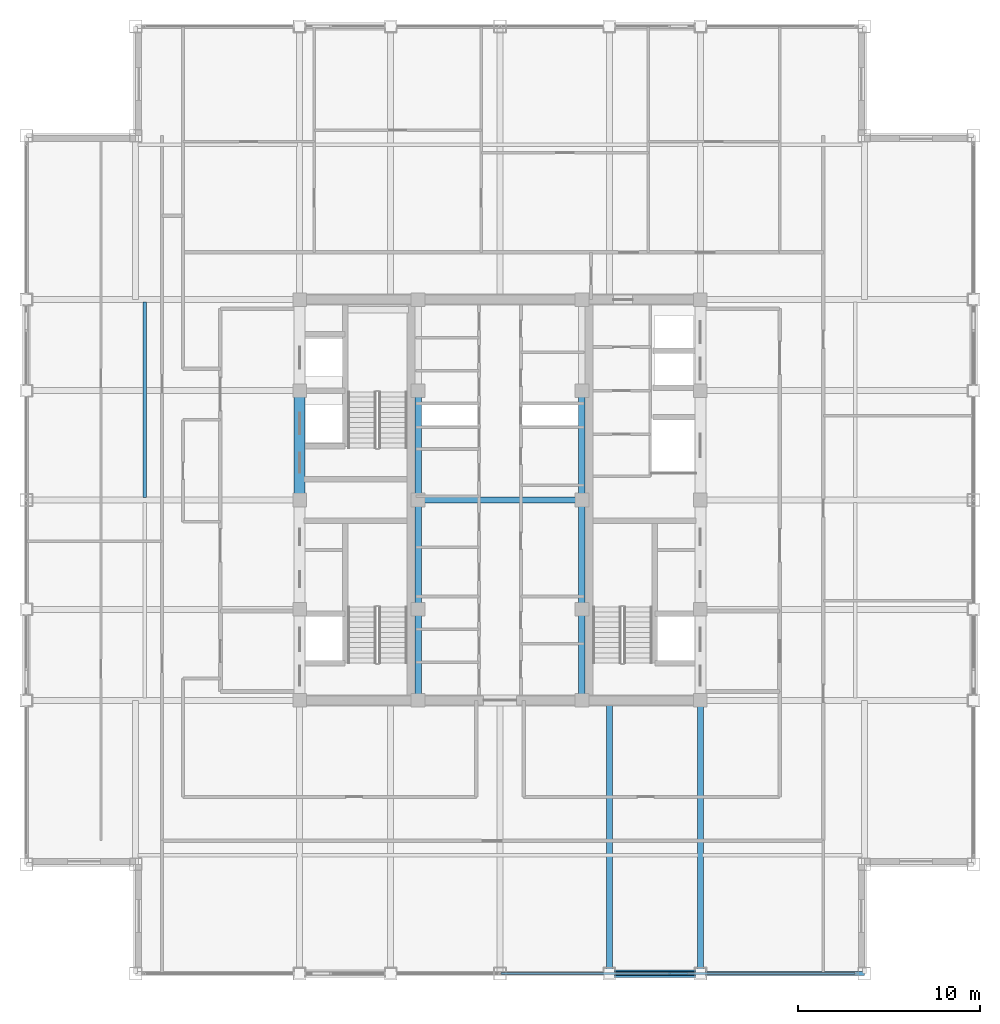
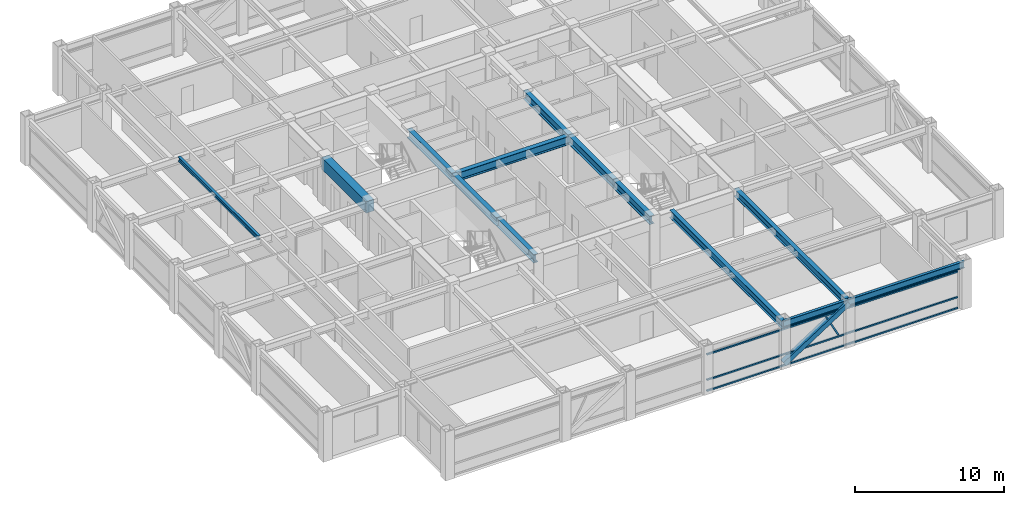
# One storey, part 7 of 29: 13 beams, 5 members, 1 element without a shape of its own.
"""IFC4 building model written with IfcOpenShell, lengths in metres."""

from ifc_helpers import new_model, si_unit, direction, frame, origin, origin_2d, place, context, subcontext, project, spatial, rectangle, hollow_rectangle, i_section, extrude, source, transform, mapped, material, material_profile, profile_set, type_object, element, aggregate, save


model = new_model("IFC4")

# Units and contexts
model_context = context("Model", 3, precision=1e-05, world=origin(), true_north=direction((0.0, 1.0)))
body_context = subcontext(model_context, "Body", "Model", "MODEL_VIEW")
ifc_project = project(units=[si_unit("LENGTHUNIT", "METRE"), si_unit("AREAUNIT", "SQUARE_METRE"), si_unit("VOLUMEUNIT", "CUBIC_METRE"), si_unit("PLANEANGLEUNIT", "RADIAN"), si_unit("MASSUNIT", "GRAM", prefix="KILO")], contexts=[model_context])

# Site, building, storey
site_placement = place(None, origin())
site = spatial("IfcSite", under=ifc_project, at=site_placement, CompositionType="ELEMENT")
building_placement = place(site_placement, origin())
building = spatial("IfcBuilding", under=site, at=building_placement, Name="Khorayat Bourse Tower", CompositionType="ELEMENT")
storey_placement = place(building_placement, frame((0.0, 0.0, 366.300048828125)))
storey = spatial("IfcBuildingStorey", under=building, at=storey_placement, Name="L87", CompositionType="ELEMENT", Elevation=366.300048828125)

# Beams
ifc_material_1 = material(Name="Steel ASTM A992 Grade 50", Category="steel")
ifc_material_profile_1 = material_profile(ifc_material_1, i_section(OverallWidth=0.35498046875, OverallDepth=0.695068359375, WebThickness=0.015380859375, FlangeThickness=0.02490234375, FilletRadius=0.01806640625, at=origin_2d()), Name="W690X217")
ifc_profile_set_1 = profile_set([ifc_material_profile_1], Name="Steel ASTM A992 Grade 50")
beam_type_1 = type_object("IfcBeamType", Name="BM-GIRD-690", PredefinedType="BEAM", material=ifc_profile_set_1)
shared_shape_1 = source(origin(), body_context, "Body", "SweptSolid", [
    extrude(i_section(OverallWidth=0.35498046875, OverallDepth=0.695068359375, WebThickness=0.015380859375, FlangeThickness=0.02490234375, FilletRadius=0.01806640625, at=origin_2d()), origin(), (0.0, 0.0, 1.0), 5.0),
])
for number, where, z_axis, x_axis, name in (
    (1, (-4.5, -11.0, 3.392333984375), (0.0, 1.0, 0.0), (-1.0, 0.0, 0.0), "L87 BM-GIRD-690 BM-L87-CRX-05"),
    (2, (4.5, -11.0, 3.392333984375), (0.0, 1.0, 0.0), (-1.0, 0.0, 0.0), "L87 BM-GIRD-690 BM-L87-CRX-09"),
):
    element("IfcBeam", number, at=place(storey_placement, frame(where, z_axis=z_axis, x_axis=x_axis)), inside=storey, type_object=beam_type_1, Name=name, PredefinedType="BEAM", context=body_context, shape_type="MappedRepresentation", body=[
        mapped(shared_shape_1, transform((0.0, 0.0, 0.0), scale=1.0)),
    ])
shared_shape_2 = source(origin(), body_context, "Body", "SweptSolid", [
    extrude(i_section(OverallWidth=0.35498046875, OverallDepth=0.695068359375, WebThickness=0.015380859375, FlangeThickness=0.02490234375, FilletRadius=0.01806640625, at=origin_2d()), origin(), (0.0, 0.0, 1.0), 6.0),
])
for number, where, z_axis, x_axis, name in (
    (3, (-4.5, -6.0, 3.392333984375), (0.0, 1.0, 0.0), (-1.0, 0.0, 0.0), "L87 BM-GIRD-690 BM-L87-CRX-06"),
    (4, (-4.5, 0.0, 3.392333984375), (0.0, 1.0, 0.0), (-1.0, 0.0, 0.0), "L87 BM-GIRD-690 BM-L87-CRX-07"),
    (5, (4.5, -6.0, 3.392333984375), (0.0, 1.0, 0.0), (-1.0, 0.0, 0.0), "L87 BM-GIRD-690 BM-L87-CRX-10"),
    (6, (4.5, 0.0, 3.392333984375), (0.0, 1.0, 0.0), (-1.0, 0.0, 0.0), "L87 BM-GIRD-690 BM-L87-CRX-11"),
):
    element("IfcBeam", number, at=place(storey_placement, frame(where, z_axis=z_axis, x_axis=x_axis)), inside=storey, type_object=beam_type_1, Name=name, PredefinedType="BEAM", context=body_context, shape_type="MappedRepresentation", body=[
        mapped(shared_shape_2, transform((0.0, 0.0, 0.0), scale=1.0)),
    ])
shared_shape_3 = source(origin(), body_context, "Body", "SweptSolid", [
    extrude(i_section(OverallWidth=0.35498046875, OverallDepth=0.695068359375, WebThickness=0.015380859375, FlangeThickness=0.02490234375, FilletRadius=0.01806640625, at=origin_2d()), origin(), (0.0, 0.0, 1.0), 9.0),
])
beam_1_placement = place(storey_placement, frame((-4.5, 0.0, 3.392333984375), z_axis=(1.0, 0.0, 0.0), x_axis=(0.0, 1.0, 0.0)))
element("IfcBeam", 7, at=beam_1_placement, inside=storey, type_object=beam_type_1, Name="L87 BM-GIRD-690 BM-L87-CRY-23", PredefinedType="BEAM", context=body_context, shape_type="MappedRepresentation", body=[
    mapped(shared_shape_3, transform((0.0, 0.0, 0.0), scale=1.0)),
])
ifc_material_2 = material(Name="Concrete C60/75", Category="concrete")
ifc_material_profile_2 = material_profile(ifc_material_2, rectangle(XDim=0.60009765625, YDim=0.949951171875, at=origin_2d()), Name="RC 600x950")
ifc_profile_set_2 = profile_set([ifc_material_profile_2], Name="Concrete C60/75")
beam_type_2 = type_object("IfcBeamType", Name="BM-COUP-950", PredefinedType="BEAM", material=ifc_profile_set_2)
shared_shape_4 = source(origin(), body_context, "Body", "SweptSolid", [
    extrude(rectangle(XDim=0.60009765625, YDim=0.949951171875, at=origin_2d()), origin(), (0.0, 0.0, 1.0), 6.0),
])
beam_2_placement = place(storey_placement, frame((-11.0, 0.0, 3.264892578125), z_axis=(0.0, 1.0, 0.0), x_axis=(-1.0, 0.0, 0.0)))
element("IfcBeam", 8, at=beam_2_placement, inside=storey, type_object=beam_type_2, Name="L87 BM-COUP-950 BM-L87-CRX-03", PredefinedType="BEAM", context=body_context, shape_type="MappedRepresentation", body=[
    mapped(shared_shape_4, transform((0.0, 0.0, 0.0), scale=1.0)),
])
ifc_material_profile_3 = material_profile(ifc_material_1, i_section(OverallWidth=0.202880859375, OverallDepth=0.346923828125, WebThickness=0.0078125, FlangeThickness=0.013427734375, FilletRadius=0.010009765625, at=origin_2d()), Name="W360X64")
ifc_profile_set_3 = profile_set([ifc_material_profile_3], Name="Steel ASTM A992 Grade 50")
beam_type_3 = type_object("IfcBeamType", Name="BM-JOIST-360", PredefinedType="JOIST", material=ifc_profile_set_3)
shared_shape_5 = source(origin(), body_context, "Body", "SweptSolid", [
    extrude(i_section(OverallWidth=0.202880859375, OverallDepth=0.346923828125, WebThickness=0.0078125, FlangeThickness=0.013427734375, FilletRadius=0.010009765625, at=origin_2d()), origin(), (0.0, 0.0, 1.0), 10.740234375),
])
beam_3_placement = place(storey_placement, frame((-19.5, 0.1298828125, 3.56640625), z_axis=(0.0, 1.0, 0.0), x_axis=(-1.0, 0.0, 0.0)))
element("IfcBeam", 9, at=beam_3_placement, inside=storey, type_object=beam_type_3, Name="L87 BM-JOIST-360 BM-L87-JSTY-087", PredefinedType="JOIST", context=body_context, shape_type="MappedRepresentation", body=[
    mapped(shared_shape_5, transform((0.0, 0.0, 0.0), scale=1.0)),
])
ifc_material_profile_4 = material_profile(ifc_material_1, i_section(OverallWidth=0.214111328125, OverallDepth=0.549072265625, WebThickness=0.0146484375, FlangeThickness=0.023681640625, FilletRadius=0.013916015625, at=origin_2d()), Name="W530X138")
ifc_profile_set_4 = profile_set([ifc_material_profile_4], Name="Steel ASTM A992 Grade 50")
beam_type_4 = type_object("IfcBeamType", Name="BM-SPAN-530", PredefinedType="SPANDREL", material=ifc_profile_set_4)
shared_shape_6 = source(origin(), body_context, "Body", "SweptSolid", [
    extrude(i_section(OverallWidth=0.214111328125, OverallDepth=0.549072265625, WebThickness=0.0146484375, FlangeThickness=0.023681640625, FilletRadius=0.013916015625, at=origin_2d()), origin(), (0.0, 0.0, 1.0), 9.0),
])
beam_4_placement = place(storey_placement, frame((11.0, -26.0, 3.46533203125), z_axis=(1.0, 0.0, 0.0), x_axis=(0.0, 1.0, 0.0)))
element("IfcBeam", 10, at=beam_4_placement, inside=storey, type_object=beam_type_4, Name="L87 BM-SPAN-530 BM-L87-SPN-029", PredefinedType="SPANDREL", context=body_context, shape_type="MappedRepresentation", body=[
    mapped(shared_shape_6, transform((0.0, 0.0, 0.0), scale=1.0)),
])
shared_shape_7 = source(origin(), body_context, "Body", "SweptSolid", [
    extrude(i_section(OverallWidth=0.214111328125, OverallDepth=0.549072265625, WebThickness=0.0146484375, FlangeThickness=0.023681640625, FilletRadius=0.013916015625, at=origin_2d()), origin(), (0.0, 0.0, 1.0), 5.0),
])
beam_5_placement = place(storey_placement, frame((6.0, -26.0, 3.46533203125), z_axis=(1.0, 0.0, 0.0), x_axis=(0.0, 1.0, 0.0)))
element("IfcBeam", 11, at=beam_5_placement, inside=storey, type_object=beam_type_4, Name="L87 BM-SPAN-530 BM-L87-SPN-028", PredefinedType="SPANDREL", context=body_context, shape_type="MappedRepresentation", body=[
    mapped(shared_shape_7, transform((0.0, 0.0, 0.0), scale=1.0)),
])
ifc_material_profile_5 = material_profile(ifc_material_1, i_section(OverallWidth=0.324951171875, OverallDepth=0.615966796875, WebThickness=0.013916015625, FlangeThickness=0.021484375, FilletRadius=0.01611328125, at=origin_2d()), Name="W610X174")
ifc_profile_set_5 = profile_set([ifc_material_profile_5], Name="Steel ASTM A992 Grade 50")
beam_type_5 = type_object("IfcBeamType", Name="BM-GIRD-610", PredefinedType="BEAM", material=ifc_profile_set_5)
shared_shape_8 = source(origin(), body_context, "Body", "SweptSolid", [
    extrude(i_section(OverallWidth=0.324951171875, OverallDepth=0.615966796875, WebThickness=0.013916015625, FlangeThickness=0.021484375, FilletRadius=0.01611328125, at=origin_2d()), origin(), (0.0, 0.0, 1.0), 15.0),
])
for number, where, z_axis, x_axis, name in (
    (12, (6.0, -26.0, 3.431884765625), (0.0, 1.0, 0.0), (-1.0, 0.0, 0.0), "L87 BM-GIRD-610 BM-L87-RADY-063"),
    (13, (11.0, -26.0, 3.431884765625), (0.0, 1.0, 0.0), (-1.0, 0.0, 0.0), "L87 BM-GIRD-610 BM-L87-RADY-065"),
):
    element("IfcBeam", number, at=place(storey_placement, frame(where, z_axis=z_axis, x_axis=x_axis)), inside=storey, type_object=beam_type_5, Name=name, PredefinedType="BEAM", context=body_context, shape_type="MappedRepresentation", body=[
        mapped(shared_shape_8, transform((0.0, 0.0, 0.0), scale=1.0)),
    ])

# Member
ifc_material_3 = material(Name="Steel EN 10025-4 S460M", Category="steel")
ifc_material_profile_6 = material_profile(ifc_material_3, hollow_rectangle(XDim=0.39990234375, YDim=0.39990234375, WallThickness=0.02197265625, at=origin_2d()), Name="HSS 400x400x22")
ifc_profile_set_6 = profile_set([ifc_material_profile_6], Name="Steel EN 10025-4 S460M")
member_type_1 = type_object("IfcMemberType", Name="MBR-TUBE-400", PredefinedType="BRACE", material=ifc_profile_set_6)
shared_shape_9 = source(origin(), body_context, "Body", "SweptSolid", [
    extrude(hollow_rectangle(XDim=0.39990234375, YDim=0.39990234375, WallThickness=0.02197265625, at=origin_2d()), origin(), (0.0, 0.0, 1.0), 5.9580078125),
])
member_1_placement = place(storey_placement, frame((6.0, -26.0, 0.25), z_axis=(0.839210474455, 0.0, 0.543806748364), x_axis=(0.0, 1.0, 0.0)))
element("IfcMember", 14, at=member_1_placement, inside=storey, type_object=member_type_1, Name="L87 Perimeter Tube Brace 02", PredefinedType="BRACE", context=body_context, shape_type="MappedRepresentation", body=[
    mapped(shared_shape_9, transform((0.0, 0.0, 0.0), scale=1.0)),
])

# Curtain wall, members
ifc_material_4 = material(Name="Aluminium EN AW-6063 T6", Category="aluminium")
curtain_wall_type = type_object("IfcCurtainWallType", Name="CW-SYS-04", PredefinedType="NOTDEFINED", material=ifc_material_4)
curtain_wall_placement = place(storey_placement, origin())
curtain_wall = element("IfcCurtainWall", 15, at=curtain_wall_placement, inside=storey, type_object=curtain_wall_type, Name="L87 Curtain Wall CW-L87-S1", PredefinedType="NOTDEFINED")
ifc_material_profile_7 = material_profile(ifc_material_4, hollow_rectangle(XDim=0.1201171875, YDim=0.1201171875, WallThickness=0.0048828125, at=origin_2d()), Name="ALU 120x120x5")
ifc_profile_set_7 = profile_set([ifc_material_profile_7], Name="Aluminium EN AW-6063 T6")
member_type_2 = type_object("IfcMemberType", Name="CWM-DIAG-120", PredefinedType="MULLION", material=ifc_profile_set_7)
shared_shape_10 = source(origin(), body_context, "Body", "SweptSolid", [
    extrude(hollow_rectangle(XDim=0.1201171875, YDim=0.1201171875, WallThickness=0.0048828125, at=origin_2d()), origin(), (0.0, 0.0, 1.0), 2.0341796875),
])
member_2_placement = place(storey_placement, frame((10.24365234375, -26.0, 1.08984375), z_axis=(-0.465696964104, 0.0, 0.884944256789), x_axis=(0.0, -1.0, 0.0)))
member_2 = element("IfcMember", 16, at=member_2_placement, type_object=member_type_2, Name="CW-L87-S1 Faceted Diagonal Mullion 2", PredefinedType="MULLION", context=body_context, shape_type="MappedRepresentation", body=[
    mapped(shared_shape_10, transform((0.0, 0.0, 0.0), scale=1.0)),
])
ifc_material_profile_8 = material_profile(ifc_material_4, hollow_rectangle(XDim=0.1201171875, YDim=0.1201171875, WallThickness=0.0048828125, at=origin_2d()), Name="ALU 120x120x5")
ifc_profile_set_8 = profile_set([ifc_material_profile_8], Name="Aluminium EN AW-6063 T6")
member_type_3 = type_object("IfcMemberType", Name="CWT-HORZ-120", PredefinedType="USERDEFINED", material=ifc_profile_set_8)
shared_shape_11 = source(origin(), body_context, "Body", "SweptSolid", [
    extrude(hollow_rectangle(XDim=0.1201171875, YDim=0.1201171875, WallThickness=0.0048828125, at=origin_2d()), origin(), (0.0, 0.0, 1.0), 19.419921875),
])
member_3_placement = place(storey_placement, frame((0.06005859375, -26.0, 0.06005859375), z_axis=(1.0, 0.0, 0.0), x_axis=(0.0, 1.0, 0.0)))
member_3 = element("IfcMember", 17, at=member_3_placement, type_object=member_type_3, Name="CW-L87-S1 Horizontal Transom 2-1", ObjectType="TRANSOM", PredefinedType="USERDEFINED", context=body_context, shape_type="MappedRepresentation", body=[
    mapped(shared_shape_11, transform((0.0, 0.0, 0.0), scale=1.0)),
])
member_4_placement = place(storey_placement, frame((0.06005859375, -26.0, 0.949951171875), z_axis=(1.0, 0.0, 0.0), x_axis=(0.0, 1.0, 0.0)))
member_4 = element("IfcMember", 18, at=member_4_placement, type_object=member_type_3, Name="CW-L87-S1 Horizontal Transom 2-2", ObjectType="TRANSOM", PredefinedType="USERDEFINED", context=body_context, shape_type="MappedRepresentation", body=[
    mapped(shared_shape_11, transform((0.0, 0.0, 0.0), scale=1.0)),
])
member_5_placement = place(storey_placement, frame((0.06005859375, -26.0, 3.030029296875), z_axis=(1.0, 0.0, 0.0), x_axis=(0.0, 1.0, 0.0)))
member_5 = element("IfcMember", 19, at=member_5_placement, type_object=member_type_3, Name="CW-L87-S1 Horizontal Transom 2-3", ObjectType="TRANSOM", PredefinedType="USERDEFINED", context=body_context, shape_type="MappedRepresentation", body=[
    mapped(shared_shape_11, transform((0.0, 0.0, 0.0), scale=1.0)),
])
aggregate(curtain_wall, [member_3, member_4, member_5, member_2])

save(model, "model.ifc")
